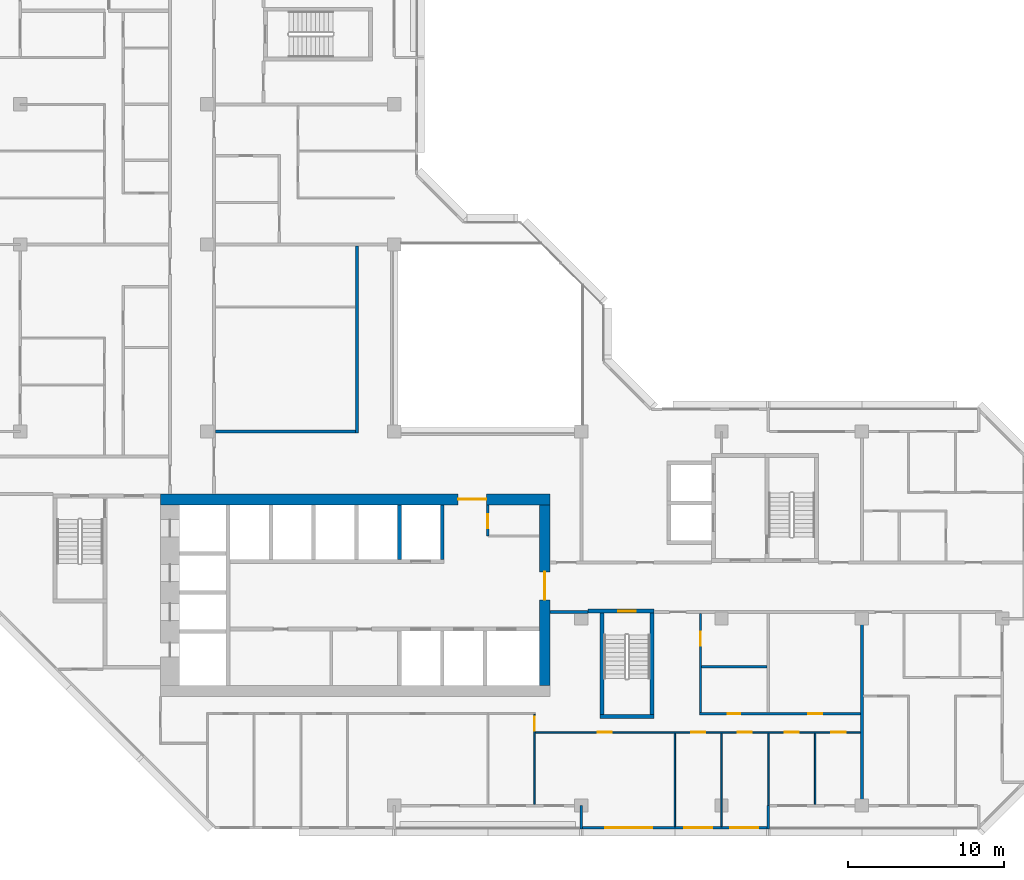
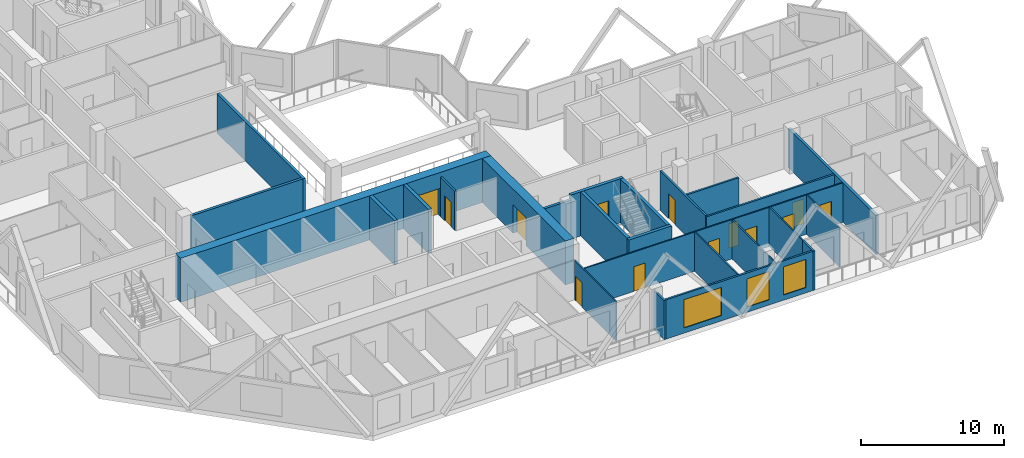
# One storey, part 6 of 16: 25 walls, 13 doors, 3 windows, 16 openings.
"""IFC4 building model written with IfcOpenShell, lengths in metres."""

from ifc_helpers import new_model, si_unit, direction, frame, frame_2d, origin, place, context, subcontext, project, spatial, rectangle, extrude, material, layer, layer_set, type_object, element, fill, save


model = new_model("IFC4")

# Units and contexts
model_context = context("Model", 3, precision=1e-05, world=origin(), true_north=direction((0.0, 1.0)))
body_context = subcontext(model_context, "Body", "Model", "MODEL_VIEW")
ifc_project = project(units=[si_unit("LENGTHUNIT", "METRE"), si_unit("AREAUNIT", "SQUARE_METRE"), si_unit("VOLUMEUNIT", "CUBIC_METRE"), si_unit("PLANEANGLEUNIT", "RADIAN"), si_unit("MASSUNIT", "GRAM", prefix="KILO")], contexts=[model_context])

# Site, building, storey
site_placement = place(None, origin())
site = spatial("IfcSite", under=ifc_project, at=site_placement, CompositionType="ELEMENT")
building_placement = place(site_placement, origin())
building = spatial("IfcBuilding", under=site, at=building_placement, Name="Chenar Terraces", CompositionType="ELEMENT")
storey_placement = place(building_placement, frame((0.0, 0.0, 219.14990234375)))
storey = spatial("IfcBuildingStorey", under=building, at=storey_placement, Name="L51", CompositionType="ELEMENT", Elevation=219.14990234375)

# Wall, opening, door
ifc_material_1 = material(Name="Gypsum board on steel studs", Category="steel")
ifc_layer_1 = layer(ifc_material_1, 0.14990234375)
ifc_layer_set_1 = layer_set([ifc_layer_1], Name="Gypsum board on steel studs")
wall_type_1 = type_object("IfcWallType", Name="Core partition 150 gypsum board", PredefinedType="PARTITIONING", material=ifc_layer_set_1)
wall_1_placement = place(storey_placement, frame((30.0, 17.300048828125, 0.0), z_axis=(0.0, 0.0, 1.0), x_axis=(0.0, 1.0, 0.0)))
wall_1 = element("IfcWall", 1, at=wall_1_placement, inside=storey, type_object=wall_type_1, Name="Core partition CP1 vestibule room west wall", PredefinedType="PARTITIONING", context=body_context, shape_type="SweptSolid", body=[
    extrude(rectangle(XDim=2.0, YDim=0.14990234375, at=frame_2d((1.0, 0.0))), origin(), (0.0, 0.0, 1.0), 3.35009765625),
])
opening_1_placement = place(wall_1_placement, frame((0.5, 0.0, 0.0)))
opening_1 = element("IfcOpeningElement", 2, at=opening_1_placement, cuts=wall_1, Name="Opening DL51-C14", PredefinedType="OPENING", context=body_context, shape_type="SweptSolid", body=[
    extrude(rectangle(XDim=0.89990234375, YDim=2.10009765625, at=frame_2d((0.449951171875, 1.050048828125))), frame((0.0, 0.0849609375, 0.0), z_axis=(0.0, -1.0, 0.0), x_axis=(1.0, 0.0, 0.0)), (0.0, 0.0, 1.0), 0.169921875),
])
ifc_material_2 = material(Name="Steel-framed fire-resisting door leaf", Category="steel")
door_type_1 = type_object("IfcDoorType", Name="Riser fire door FD60 900 x 2100", OperationType="SINGLE_SWING_LEFT", PredefinedType="DOOR", material=ifc_material_2)
door_1_placement = place(opening_1_placement, frame((0.89990234375, 0.0, 0.0), z_axis=(0.0, 0.0, 1.0), x_axis=(-1.0, 0.0, 0.0)))
door_1 = element("IfcDoor", 3, at=door_1_placement, inside=storey, type_object=door_type_1, Name="Core room door DL51-C14", OperationType="SINGLE_SWING_RIGHT", OverallHeight=2.10009765625, OverallWidth=0.89990234375, PredefinedType="DOOR", context=body_context, shape_type="SweptSolid", body=[
    extrude(rectangle(XDim=0.89990234375, YDim=2.10009765625, at=frame_2d((0.449951171875, 1.050048828125))), frame((0.0, 0.02490234375, 0.0), z_axis=(0.0, -1.0, 0.0), x_axis=(1.0, 0.0, 0.0)), (0.0, 0.0, 1.0), 0.050048828125),
])
fill(opening_1, door_1)

# Walls
ifc_material_3 = material(Name="Concrete C60/75", Category="concrete")
ifc_layer_2 = layer(ifc_material_3, 0.25)
ifc_layer_set_2 = layer_set([ifc_layer_2], Name="Concrete C60/75")
wall_type_2 = type_object("IfcWallType", Name="Core wall 250 Concrete C60/75", PredefinedType="SHEAR", material=ifc_layer_set_2)
for number, where, z_axis, x_axis, name in (
    (4, (24.324951171875, 15.800048828125, 0.0), (0.0, 0.0, 1.0), (0.0, 1.0, 0.0), "Core wall NS3 L51"),
    (5, (27.074951171875, 15.800048828125, 0.0), (0.0, 0.0, 1.0), (0.0, 1.0, 0.0), "Core wall NE L51"),
):
    element("IfcWall", number, at=place(storey_placement, frame(where, z_axis=z_axis, x_axis=x_axis)), inside=storey, type_object=wall_type_2, Name=name, PredefinedType="SHEAR", context=body_context, shape_type="SweptSolid", body=[
        extrude(rectangle(XDim=3.5, YDim=0.25, at=frame_2d((1.75, 0.0))), origin(), (0.0, 0.0, 1.0), 3.75),
    ])
wall_2_placement = place(storey_placement, frame((37.199951171875, 5.72509765625, 0.0), z_axis=(0.0, 0.0, 1.0), x_axis=(1.0, 0.0, 0.0)))
element("IfcWall", 6, at=wall_2_placement, inside=storey, type_object=wall_type_2, Name="Core wall ST2_S L51", PredefinedType="SHEAR", context=body_context, shape_type="SweptSolid", body=[
    extrude(rectangle(XDim=3.449951171875, YDim=0.25, at=frame_2d((1.72509765625, 0.0))), origin(), (0.0, 0.0, 1.0), 3.75),
])

# Wall, opening, door
wall_3_placement = place(storey_placement, frame((36.425048828125, 12.47509765625, 0.0), z_axis=(0.0, 0.0, 1.0), x_axis=(1.0, 0.0, 0.0)))
wall_3 = element("IfcWall", 7, at=wall_3_placement, inside=storey, type_object=wall_type_2, Name="Core wall ST2_N L51", PredefinedType="SHEAR", context=body_context, shape_type="SweptSolid", body=[
    extrude(rectangle(XDim=4.224853515625, YDim=0.25, at=frame_2d((2.1123046875, 0.0))), origin(), (0.0, 0.0, 1.0), 3.75),
])
opening_2_placement = place(wall_3_placement, frame((1.949951171875, 0.0, 0.0)))
opening_2 = element("IfcOpeningElement", 8, at=opening_2_placement, cuts=wall_3, Name="Opening DL51-C7", PredefinedType="OPENING", context=body_context, shape_type="SweptSolid", body=[
    extrude(rectangle(XDim=1.10009765625, YDim=2.199951171875, at=frame_2d((0.550048828125, 1.10009765625))), frame((0.0, 0.135009765625, 0.0), z_axis=(0.0, -1.0, 0.0), x_axis=(1.0, 0.0, 0.0)), (0.0, 0.0, 1.0), 0.27001953125),
])
ifc_material_4 = material(Name="Steel-framed fire-resisting door leaf", Category="steel")
door_type_2 = type_object("IfcDoorType", Name="Stair fire door FD60 1100 x 2200", OperationType="SINGLE_SWING_LEFT", PredefinedType="DOOR", material=ifc_material_4)
door_2_placement = place(opening_2_placement, frame((1.10009765625, 0.0, 0.0), z_axis=(0.0, 0.0, 1.0), x_axis=(-1.0, 0.0, 0.0)))
door_2 = element("IfcDoor", 9, at=door_2_placement, inside=storey, type_object=door_type_2, Name="Stair door DL51-C7", OperationType="SINGLE_SWING_LEFT", OverallHeight=2.199951171875, OverallWidth=1.10009765625, PredefinedType="DOOR", context=body_context, shape_type="SweptSolid", body=[
    extrude(rectangle(XDim=1.10009765625, YDim=2.199951171875, at=frame_2d((0.550048828125, 1.10009765625))), frame((0.0, 0.02490234375, 0.0), z_axis=(0.0, -1.0, 0.0), x_axis=(1.0, 0.0, 0.0)), (0.0, 0.0, 1.0), 0.050048828125),
])
fill(opening_2, door_2)

# Walls
for number, where, z_axis, x_axis, name in (
    (10, (37.324951171875, 5.85009765625, 0.0), (0.0, 0.0, 1.0), (0.0, 1.0, 0.0), "Core wall ST2_W L51"),
    (11, (40.52490234375, 5.85009765625, 0.0), (0.0, 0.0, 1.0), (0.0, 1.0, 0.0), "Core wall ST2_E L51"),
):
    element("IfcWall", number, at=place(storey_placement, frame(where, z_axis=z_axis, x_axis=x_axis)), inside=storey, type_object=wall_type_2, Name=name, PredefinedType="SHEAR", context=body_context, shape_type="SweptSolid", body=[
        extrude(rectangle(XDim=6.5, YDim=0.25, at=frame_2d((3.25, 0.0))), origin(), (0.0, 0.0, 1.0), 3.75),
    ])

# Wall, opening, door
ifc_material_5 = material(Name="Concrete C60/75", Category="concrete")
ifc_layer_3 = layer(ifc_material_5, 0.699951171875)
ifc_layer_set_3 = layer_set([ifc_layer_3], Name="Concrete C60/75")
wall_type_3 = type_object("IfcWallType", Name="Core wall 700 Concrete C60/75", PredefinedType="SHEAR", material=ifc_layer_set_3)
wall_4_placement = place(storey_placement, frame((9.0, 19.64990234375, 0.0), z_axis=(0.0, 0.0, 1.0), x_axis=(1.0, 0.0, 0.0)))
wall_4 = element("IfcWall", 12, at=wall_4_placement, inside=storey, type_object=wall_type_3, Name="Core wall N L51", PredefinedType="SHEAR", context=body_context, shape_type="SweptSolid", body=[
    extrude(rectangle(XDim=25.0, YDim=0.699951171875, at=frame_2d((12.5, 0.0))), origin(), (0.0, 0.0, 1.0), 3.75),
])
opening_3_placement = place(wall_4_placement, frame((19.10009765625, 0.0, 0.0)))
opening_3 = element("IfcOpeningElement", 13, at=opening_3_placement, cuts=wall_4, Name="Opening DL51-C2", PredefinedType="OPENING", context=body_context, shape_type="SweptSolid", body=[
    extrude(rectangle(XDim=1.800048828125, YDim=2.39990234375, at=frame_2d((0.89990234375, 1.199951171875))), frame((0.0, 0.35986328125, 0.0), z_axis=(0.0, -1.0, 0.0), x_axis=(1.0, 0.0, 0.0)), (0.0, 0.0, 1.0), 0.719970703125),
])
ifc_material_6 = material(Name="Steel-framed fire-resisting door leaf", Category="steel")
door_type_3 = type_object("IfcDoorType", Name="Core entrance double fire door FD60 1800 x 2400", OperationType="DOUBLE_DOOR_SINGLE_SWING", PredefinedType="DOOR", material=ifc_material_6)
door_3_placement = place(opening_3_placement, frame((1.800048828125, 0.0, 0.0), z_axis=(0.0, 0.0, 1.0), x_axis=(-1.0, 0.0, 0.0)))
door_3 = element("IfcDoor", 14, at=door_3_placement, inside=storey, type_object=door_type_3, Name="Core door DL51-C2", OperationType="DOUBLE_DOOR_SINGLE_SWING", OverallHeight=2.39990234375, OverallWidth=1.800048828125, PredefinedType="DOOR", context=body_context, shape_type="SweptSolid", body=[
    extrude(rectangle(XDim=1.800048828125, YDim=2.39990234375, at=frame_2d((0.89990234375, 1.199951171875))), frame((0.0, 0.02490234375, 0.0), z_axis=(0.0, -1.0, 0.0), x_axis=(1.0, 0.0, 0.0)), (0.0, 0.0, 1.0), 0.050048828125),
])
fill(opening_3, door_3)

wall_5_placement = place(storey_placement, frame((33.64990234375, 7.699951171875, 0.0), z_axis=(0.0, 0.0, 1.0), x_axis=(0.0, 1.0, 0.0)))
wall_5 = element("IfcWall", 15, at=wall_5_placement, inside=storey, type_object=wall_type_3, Name="Core wall E L51", PredefinedType="SHEAR", context=body_context, shape_type="SweptSolid", body=[
    extrude(rectangle(XDim=11.60009765625, YDim=0.699951171875, at=frame_2d((5.800048828125, 0.0))), origin(), (0.0, 0.0, 1.0), 3.75),
])
opening_4_placement = place(wall_5_placement, frame((5.5, 0.0, 0.0)))
opening_4 = element("IfcOpeningElement", 16, at=opening_4_placement, cuts=wall_5, Name="Opening DL51-C1", PredefinedType="OPENING", context=body_context, shape_type="SweptSolid", body=[
    extrude(rectangle(XDim=1.800048828125, YDim=2.39990234375, at=frame_2d((0.89990234375, 1.199951171875))), frame((0.0, 0.35986328125, 0.0), z_axis=(0.0, -1.0, 0.0), x_axis=(1.0, 0.0, 0.0)), (0.0, 0.0, 1.0), 0.719970703125),
])
door_4_placement = place(opening_4_placement, origin())
door_4 = element("IfcDoor", 17, at=door_4_placement, inside=storey, type_object=door_type_3, Name="Core door DL51-C1", OperationType="DOUBLE_DOOR_SINGLE_SWING", OverallHeight=2.39990234375, OverallWidth=1.800048828125, PredefinedType="DOOR", context=body_context, shape_type="SweptSolid", body=[
    extrude(rectangle(XDim=1.800048828125, YDim=2.39990234375, at=frame_2d((0.89990234375, 1.199951171875))), frame((0.0, 0.02490234375, 0.0), z_axis=(0.0, -1.0, 0.0), x_axis=(1.0, 0.0, 0.0)), (0.0, 0.0, 1.0), 0.050048828125),
])
fill(opening_4, door_4)

# Walls
ifc_material_7 = material(Name="Gypsum board on steel studs with fire boards", Category="steel")
ifc_layer_4 = layer(ifc_material_7, 0.199951171875)
ifc_layer_set_4 = layer_set([ifc_layer_4], Name="Gypsum board on steel studs with fire boards")
wall_type_4 = type_object("IfcWallType", Name="Corridor wall 200", PredefinedType="PARTITIONING", material=ifc_layer_set_4)
wall_6_placement = place(storey_placement, frame((12.52490234375, 24.0, 0.0), z_axis=(0.0, 0.0, 1.0), x_axis=(1.0, 0.0, 0.0)))
element("IfcWall", 18, at=wall_6_placement, inside=storey, type_object=wall_type_4, Name="Partition L51-037", PredefinedType="PARTITIONING", context=body_context, shape_type="SweptSolid", body=[
    extrude(rectangle(XDim=8.97509765625, YDim=0.199951171875, at=frame_2d((4.487548828125, 0.0))), origin(), (0.0, 0.0, 1.0), 3.35009765625),
])
wall_7_placement = place(storey_placement, frame((21.60009765625, 23.89990234375, 0.0), z_axis=(0.0, 0.0, 1.0), x_axis=(0.0, 1.0, 0.0)))
element("IfcWall", 19, at=wall_7_placement, inside=storey, type_object=wall_type_4, Name="Partition L51-059", PredefinedType="PARTITIONING", context=body_context, shape_type="SweptSolid", body=[
    extrude(rectangle(XDim=12.0, YDim=0.199951171875, at=frame_2d((6.0, 0.0))), origin(), (0.0, 0.0, 1.0), 3.35009765625),
])
wall_8_placement = place(storey_placement, frame((34.0, 12.425048828125, 0.0), z_axis=(0.0, 0.0, 1.0), x_axis=(1.0, 0.0, 0.0)))
element("IfcWall", 20, at=wall_8_placement, inside=storey, type_object=wall_type_4, Name="Partition L51-063", PredefinedType="PARTITIONING", context=body_context, shape_type="SweptSolid", body=[
    extrude(rectangle(XDim=2.426025390625, YDim=0.199951171875, at=frame_2d((1.212890625, 0.0))), origin(), (0.0, 0.0, 1.0), 3.35009765625),
])

# Wall, openings, windows
ifc_material_8 = material(Name="Aluminium framed glazing", Category="aluminium")
ifc_layer_5 = layer(ifc_material_8, 0.14990234375)
ifc_layer_set_5 = layer_set([ifc_layer_5], Name="Aluminium framed glazing")
wall_type_5 = type_object("IfcWallType", Name="Glazed flush facade wall 150", PredefinedType="SOLIDWALL", material=ifc_layer_set_5)
wall_9_placement = place(storey_placement, frame((36.074951171875, -1.425048828125, 0.0), z_axis=(0.0, 0.0, 1.0), x_axis=(1.0, 0.0, 0.0)))
wall_9 = element("IfcWall", 21, at=wall_9_placement, inside=storey, type_object=wall_type_5, Name="Glazed flush facade wall", PredefinedType="SOLIDWALL", context=body_context, shape_type="SweptSolid", body=[
    extrude(rectangle(XDim=11.85009765625, YDim=0.14990234375, at=frame_2d((5.925048828125, 0.0))), origin(), (0.0, 0.0, 1.0), 3.35009765625),
])
opening_5_placement = place(wall_9_placement, frame((1.46240234375, 0.0, 0.449951171875)))
opening_5 = element("IfcOpeningElement", 22, at=opening_5_placement, cuts=wall_9, Name="Opening W300x240", PredefinedType="OPENING", context=body_context, shape_type="SweptSolid", body=[
    extrude(rectangle(XDim=3.0, YDim=2.39990234375, at=frame_2d((1.5, 1.199951171875))), frame((0.0, 0.0849609375, 0.0), z_axis=(0.0, -1.0, 0.0), x_axis=(1.0, 0.0, 0.0)), (0.0, 0.0, 1.0), 0.169921875),
])
opening_6_placement = place(wall_9_placement, frame((6.52490234375, 0.0, 0.449951171875)))
opening_6 = element("IfcOpeningElement", 23, at=opening_6_placement, cuts=wall_9, Name="Opening W180x240", PredefinedType="OPENING", context=body_context, shape_type="SweptSolid", body=[
    extrude(rectangle(XDim=1.800048828125, YDim=2.39990234375, at=frame_2d((0.89990234375, 1.199951171875))), frame((0.0, 0.0849609375, 0.0), z_axis=(0.0, -1.0, 0.0), x_axis=(1.0, 0.0, 0.0)), (0.0, 0.0, 1.0), 0.169921875),
])
opening_7_placement = place(wall_9_placement, frame((9.487548828125, 0.0, 0.449951171875)))
opening_7 = element("IfcOpeningElement", 24, at=opening_7_placement, cuts=wall_9, Name="Opening W180x240", PredefinedType="OPENING", context=body_context, shape_type="SweptSolid", body=[
    extrude(rectangle(XDim=1.800048828125, YDim=2.39990234375, at=frame_2d((0.89990234375, 1.199951171875))), frame((0.0, 0.0849609375, 0.0), z_axis=(0.0, -1.0, 0.0), x_axis=(1.0, 0.0, 0.0)), (0.0, 0.0, 1.0), 0.169921875),
])
ifc_material_9 = material(Name="Low emissivity double glazing, aluminium frame", Category="aluminium")
window_type_1 = type_object("IfcWindowType", Name="Fixed light 1800 x 2400", PartitioningType="SINGLE_PANEL", PredefinedType="WINDOW", material=ifc_material_9)
window_1_placement = place(opening_6_placement, origin())
window_1 = element("IfcWindow", 25, at=window_1_placement, inside=storey, type_object=window_type_1, Name="Window", OverallHeight=2.39990234375, OverallWidth=1.800048828125, PartitioningType="SINGLE_PANEL", PredefinedType="WINDOW", context=body_context, shape_type="SweptSolid", body=[
    extrude(rectangle(XDim=1.800048828125, YDim=2.39990234375, at=frame_2d((0.89990234375, 1.199951171875))), frame((0.0, 0.030029296875, 0.0), z_axis=(0.0, -1.0, 0.0), x_axis=(1.0, 0.0, 0.0)), (0.0, 0.0, 1.0), 0.06005859375),
])
fill(opening_6, window_1)
window_2_placement = place(opening_7_placement, origin())
window_2 = element("IfcWindow", 26, at=window_2_placement, inside=storey, type_object=window_type_1, Name="Window", OverallHeight=2.39990234375, OverallWidth=1.800048828125, PartitioningType="SINGLE_PANEL", PredefinedType="WINDOW", context=body_context, shape_type="SweptSolid", body=[
    extrude(rectangle(XDim=1.800048828125, YDim=2.39990234375, at=frame_2d((0.89990234375, 1.199951171875))), frame((0.0, 0.030029296875, 0.0), z_axis=(0.0, -1.0, 0.0), x_axis=(1.0, 0.0, 0.0)), (0.0, 0.0, 1.0), 0.06005859375),
])
fill(opening_7, window_2)
ifc_material_10 = material(Name="Low emissivity double glazing, aluminium frame", Category="aluminium")
window_type_2 = type_object("IfcWindowType", Name="Fixed light 3000 x 2400", PartitioningType="SINGLE_PANEL", PredefinedType="WINDOW", material=ifc_material_10)
window_3_placement = place(opening_5_placement, origin())
window_3 = element("IfcWindow", 27, at=window_3_placement, inside=storey, type_object=window_type_2, Name="Window", OverallHeight=2.39990234375, OverallWidth=3.0, PartitioningType="SINGLE_PANEL", PredefinedType="WINDOW", context=body_context, shape_type="SweptSolid", body=[
    extrude(rectangle(XDim=3.0, YDim=2.39990234375, at=frame_2d((1.5, 1.199951171875))), frame((0.0, 0.030029296875, 0.0), z_axis=(0.0, -1.0, 0.0), x_axis=(1.0, 0.0, 0.0)), (0.0, 0.0, 1.0), 0.06005859375),
])
fill(opening_5, window_3)

# Wall, opening, door
ifc_material_11 = material(Name="Gypsum board on steel studs", Category="steel")
ifc_layer_6 = layer(ifc_material_11, 0.10009765625)
ifc_layer_set_6 = layer_set([ifc_layer_6], Name="Gypsum board on steel studs")
wall_type_6 = type_object("IfcWallType", Name="Gypsum partition 100", PredefinedType="PARTITIONING", material=ifc_layer_set_6)
wall_10_placement = place(storey_placement, frame((33.0, 0.073974609375, 0.0), z_axis=(0.0, 0.0, 1.0), x_axis=(0.0, 1.0, 0.0)))
wall_10 = element("IfcWall", 28, at=wall_10_placement, inside=storey, type_object=wall_type_6, Name="Partition L51-061", PredefinedType="PARTITIONING", context=body_context, shape_type="SweptSolid", body=[
    extrude(rectangle(XDim=5.776123046875, YDim=0.10009765625, at=frame_2d((2.88818359375, 0.0))), origin(), (0.0, 0.0, 1.0), 3.35009765625),
])
opening_8_placement = place(wall_10_placement, frame((4.72607421875, 0.0, 0.0)))
opening_8 = element("IfcOpeningElement", 29, at=opening_8_placement, cuts=wall_10, Name="Opening DL51-48", PredefinedType="OPENING", context=body_context, shape_type="SweptSolid", body=[
    extrude(rectangle(XDim=0.89990234375, YDim=2.10009765625, at=frame_2d((0.449951171875, 1.050048828125))), frame((0.0, 0.06005859375, 0.0), z_axis=(0.0, -1.0, 0.0), x_axis=(1.0, 0.0, 0.0)), (0.0, 0.0, 1.0), 0.1201171875),
])
ifc_material_12 = material(Name="Veneered timber door leaf", Category="wood")
door_type_4 = type_object("IfcDoorType", Name="Door 900 x 2100", OperationType="SINGLE_SWING_LEFT", PredefinedType="DOOR", material=ifc_material_12)
door_5_placement = place(opening_8_placement, origin())
door_5 = element("IfcDoor", 30, at=door_5_placement, inside=storey, type_object=door_type_4, Name="Door DL51-48", OperationType="SINGLE_SWING_RIGHT", OverallHeight=2.10009765625, OverallWidth=0.89990234375, PredefinedType="DOOR", context=body_context, shape_type="SweptSolid", body=[
    extrude(rectangle(XDim=0.89990234375, YDim=2.10009765625, at=frame_2d((0.449951171875, 1.050048828125))), frame((0.0, 0.02490234375, 0.0), z_axis=(0.0, -1.0, 0.0), x_axis=(1.0, 0.0, 0.0)), (0.0, 0.0, 1.0), 0.050048828125),
])
fill(opening_8, door_5)

# Wall, openings, doors
wall_11_placement = place(storey_placement, frame((33.050048828125, 4.699951171875, 0.0), z_axis=(0.0, 0.0, 1.0), x_axis=(1.0, 0.0, 0.0)))
wall_11 = element("IfcWall", 31, at=wall_11_placement, inside=storey, type_object=wall_type_6, Name="Partition L51-062", PredefinedType="PARTITIONING", context=body_context, shape_type="SweptSolid", body=[
    extrude(rectangle(XDim=20.849853515625, YDim=0.10009765625, at=frame_2d((10.4248046875, 0.0))), origin(), (0.0, 0.0, 1.0), 3.35009765625),
])
opening_9_placement = place(wall_11_placement, frame((10.0, 0.0, 0.0)))
opening_9 = element("IfcOpeningElement", 32, at=opening_9_placement, cuts=wall_11, Name="Opening DL51-49", PredefinedType="OPENING", context=body_context, shape_type="SweptSolid", body=[
    extrude(rectangle(XDim=0.89990234375, YDim=2.10009765625, at=frame_2d((0.449951171875, 1.050048828125))), frame((0.0, 0.06005859375, 0.0), z_axis=(0.0, -1.0, 0.0), x_axis=(1.0, 0.0, 0.0)), (0.0, 0.0, 1.0), 0.1201171875),
])
opening_10_placement = place(wall_11_placement, frame((13.0, 0.0, 0.0)))
opening_10 = element("IfcOpeningElement", 33, at=opening_10_placement, cuts=wall_11, Name="Opening DL51-50", PredefinedType="OPENING", context=body_context, shape_type="SweptSolid", body=[
    extrude(rectangle(XDim=0.89990234375, YDim=2.10009765625, at=frame_2d((0.449951171875, 1.050048828125))), frame((0.0, 0.06005859375, 0.0), z_axis=(0.0, -1.0, 0.0), x_axis=(1.0, 0.0, 0.0)), (0.0, 0.0, 1.0), 0.1201171875),
])
opening_11_placement = place(wall_11_placement, frame((16.0, 0.0, 0.0)))
opening_11 = element("IfcOpeningElement", 34, at=opening_11_placement, cuts=wall_11, Name="Opening DL51-51", PredefinedType="OPENING", context=body_context, shape_type="SweptSolid", body=[
    extrude(rectangle(XDim=0.89990234375, YDim=2.10009765625, at=frame_2d((0.449951171875, 1.050048828125))), frame((0.0, 0.06005859375, 0.0), z_axis=(0.0, -1.0, 0.0), x_axis=(1.0, 0.0, 0.0)), (0.0, 0.0, 1.0), 0.1201171875),
])
opening_12_placement = place(wall_11_placement, frame((19.0, 0.0, 0.0)))
opening_12 = element("IfcOpeningElement", 35, at=opening_12_placement, cuts=wall_11, Name="Opening DL51-52", PredefinedType="OPENING", context=body_context, shape_type="SweptSolid", body=[
    extrude(rectangle(XDim=0.89990234375, YDim=2.10009765625, at=frame_2d((0.449951171875, 1.050048828125))), frame((0.0, 0.06005859375, 0.0), z_axis=(0.0, -1.0, 0.0), x_axis=(1.0, 0.0, 0.0)), (0.0, 0.0, 1.0), 0.1201171875),
])
opening_13_placement = place(wall_11_placement, frame((4.0, 0.0, 0.0)))
opening_13 = element("IfcOpeningElement", 36, at=opening_13_placement, cuts=wall_11, Name="Opening DL51-59", PredefinedType="OPENING", context=body_context, shape_type="SweptSolid", body=[
    extrude(rectangle(XDim=0.89990234375, YDim=2.10009765625, at=frame_2d((0.449951171875, 1.050048828125))), frame((0.0, 0.06005859375, 0.0), z_axis=(0.0, -1.0, 0.0), x_axis=(1.0, 0.0, 0.0)), (0.0, 0.0, 1.0), 0.1201171875),
])
door_6_placement = place(opening_9_placement, frame((0.89990234375, 0.0, 0.0), z_axis=(0.0, 0.0, 1.0), x_axis=(-1.0, 0.0, 0.0)))
door_6 = element("IfcDoor", 37, at=door_6_placement, inside=storey, type_object=door_type_4, Name="Door DL51-49", OperationType="SINGLE_SWING_LEFT", OverallHeight=2.10009765625, OverallWidth=0.89990234375, PredefinedType="DOOR", context=body_context, shape_type="SweptSolid", body=[
    extrude(rectangle(XDim=0.89990234375, YDim=2.10009765625, at=frame_2d((0.449951171875, 1.050048828125))), frame((0.0, 0.02490234375, 0.0), z_axis=(0.0, -1.0, 0.0), x_axis=(1.0, 0.0, 0.0)), (0.0, 0.0, 1.0), 0.050048828125),
])
fill(opening_9, door_6)
door_7_placement = place(opening_10_placement, frame((0.89990234375, 0.0, 0.0), z_axis=(0.0, 0.0, 1.0), x_axis=(-1.0, 0.0, 0.0)))
door_7 = element("IfcDoor", 38, at=door_7_placement, inside=storey, type_object=door_type_4, Name="Door DL51-50", OperationType="SINGLE_SWING_LEFT", OverallHeight=2.10009765625, OverallWidth=0.89990234375, PredefinedType="DOOR", context=body_context, shape_type="SweptSolid", body=[
    extrude(rectangle(XDim=0.89990234375, YDim=2.10009765625, at=frame_2d((0.449951171875, 1.050048828125))), frame((0.0, 0.02490234375, 0.0), z_axis=(0.0, -1.0, 0.0), x_axis=(1.0, 0.0, 0.0)), (0.0, 0.0, 1.0), 0.050048828125),
])
fill(opening_10, door_7)
door_8_placement = place(opening_11_placement, frame((0.89990234375, 0.0, 0.0), z_axis=(0.0, 0.0, 1.0), x_axis=(-1.0, 0.0, 0.0)))
door_8 = element("IfcDoor", 39, at=door_8_placement, inside=storey, type_object=door_type_4, Name="Door DL51-51", OperationType="SINGLE_SWING_LEFT", OverallHeight=2.10009765625, OverallWidth=0.89990234375, PredefinedType="DOOR", context=body_context, shape_type="SweptSolid", body=[
    extrude(rectangle(XDim=0.89990234375, YDim=2.10009765625, at=frame_2d((0.449951171875, 1.050048828125))), frame((0.0, 0.02490234375, 0.0), z_axis=(0.0, -1.0, 0.0), x_axis=(1.0, 0.0, 0.0)), (0.0, 0.0, 1.0), 0.050048828125),
])
fill(opening_11, door_8)
door_9_placement = place(opening_12_placement, frame((0.89990234375, 0.0, 0.0), z_axis=(0.0, 0.0, 1.0), x_axis=(-1.0, 0.0, 0.0)))
door_9 = element("IfcDoor", 40, at=door_9_placement, inside=storey, type_object=door_type_4, Name="Door DL51-52", OperationType="SINGLE_SWING_LEFT", OverallHeight=2.10009765625, OverallWidth=0.89990234375, PredefinedType="DOOR", context=body_context, shape_type="SweptSolid", body=[
    extrude(rectangle(XDim=0.89990234375, YDim=2.10009765625, at=frame_2d((0.449951171875, 1.050048828125))), frame((0.0, 0.02490234375, 0.0), z_axis=(0.0, -1.0, 0.0), x_axis=(1.0, 0.0, 0.0)), (0.0, 0.0, 1.0), 0.050048828125),
])
fill(opening_12, door_9)
door_10_placement = place(opening_13_placement, frame((0.89990234375, 0.0, 0.0), z_axis=(0.0, 0.0, 1.0), x_axis=(-1.0, 0.0, 0.0)))
door_10 = element("IfcDoor", 41, at=door_10_placement, inside=storey, type_object=door_type_4, Name="Door DL51-59", OperationType="SINGLE_SWING_LEFT", OverallHeight=2.10009765625, OverallWidth=0.89990234375, PredefinedType="DOOR", context=body_context, shape_type="SweptSolid", body=[
    extrude(rectangle(XDim=0.89990234375, YDim=2.10009765625, at=frame_2d((0.449951171875, 1.050048828125))), frame((0.0, 0.02490234375, 0.0), z_axis=(0.0, -1.0, 0.0), x_axis=(1.0, 0.0, 0.0)), (0.0, 0.0, 1.0), 0.050048828125),
])
fill(opening_13, door_10)

# Walls
wall_12_placement = place(storey_placement, frame((42.0, -1.35009765625, 0.0), z_axis=(0.0, 0.0, 1.0), x_axis=(0.0, 1.0, 0.0)))
element("IfcWall", 42, at=wall_12_placement, inside=storey, type_object=wall_type_6, Name="Partition L51-067", PredefinedType="PARTITIONING", context=body_context, shape_type="SweptSolid", body=[
    extrude(rectangle(XDim=6.0, YDim=0.10009765625, at=frame_2d((3.0, 0.0))), origin(), (0.0, 0.0, 1.0), 3.35009765625),
])
wall_13_placement = place(storey_placement, frame((45.0, -1.35107421875, 0.0), z_axis=(0.0, 0.0, 1.0), x_axis=(0.0, 1.0, 0.0)))
element("IfcWall", 43, at=wall_13_placement, inside=storey, type_object=wall_type_6, Name="Partition L51-071", PredefinedType="PARTITIONING", context=body_context, shape_type="SweptSolid", body=[
    extrude(rectangle(XDim=6.0009765625, YDim=0.10009765625, at=frame_2d((3.00048828125, 0.0))), origin(), (0.0, 0.0, 1.0), 3.35009765625),
])
wall_14_placement = place(storey_placement, frame((48.0, 0.0, 0.0), z_axis=(0.0, 0.0, 1.0), x_axis=(0.0, 1.0, 0.0)))
element("IfcWall", 44, at=wall_14_placement, inside=storey, type_object=wall_type_6, Name="Partition L51-073", PredefinedType="PARTITIONING", context=body_context, shape_type="SweptSolid", body=[
    extrude(rectangle(XDim=4.64990234375, YDim=0.10009765625, at=frame_2d((2.324951171875, 0.0))), origin(), (0.0, 0.0, 1.0), 3.35009765625),
])
wall_15_placement = place(storey_placement, frame((51.0, 0.073974609375, 0.0), z_axis=(0.0, 0.0, 1.0), x_axis=(0.0, 1.0, 0.0)))
element("IfcWall", 45, at=wall_15_placement, inside=storey, type_object=wall_type_6, Name="Partition L51-075", PredefinedType="PARTITIONING", context=body_context, shape_type="SweptSolid", body=[
    extrude(rectangle(XDim=4.575927734375, YDim=0.10009765625, at=frame_2d((2.2880859375, 0.0))), origin(), (0.0, 0.0, 1.0), 3.35009765625),
])
ifc_material_13 = material(Name="Terracotta cladding on insulated backing", Category="masonry")
ifc_layer_7 = layer(ifc_material_13, 0.14990234375)
ifc_layer_set_7 = layer_set([ifc_layer_7], Name="Terracotta cladding on insulated backing")
wall_type_7 = type_object("IfcWallType", Name="Loggia return wall 150", PredefinedType="SOLIDWALL", material=ifc_layer_set_7)
for number, where, z_axis, x_axis, name in (
    (46, (36.0, -1.5, 0.0), (0.0, 0.0, 1.0), (0.0, 1.0, 0.0), "Loggia return wall"),
    (47, (48.0, -1.5, 0.0), (0.0, 0.0, 1.0), (0.0, 1.0, 0.0), "Loggia return wall"),
):
    element("IfcWall", number, at=place(storey_placement, frame(where, z_axis=z_axis, x_axis=x_axis)), inside=storey, type_object=wall_type_7, Name=name, PredefinedType="SOLIDWALL", context=body_context, shape_type="SweptSolid", body=[
        extrude(rectangle(XDim=1.5, YDim=0.14990234375, at=frame_2d((0.75, 0.0))), origin(), (0.0, 0.0, 1.0), 3.35009765625),
    ])
ifc_material_14 = material(Name="Twin gypsum board on steel studs with mineral wool", Category="steel")
ifc_layer_8 = layer(ifc_material_14, 0.199951171875)
ifc_layer_set_8 = layer_set([ifc_layer_8], Name="Twin gypsum board on steel studs with mineral wool")
wall_type_8 = type_object("IfcWallType", Name="Unit demising wall 200", PredefinedType="PARTITIONING", material=ifc_layer_set_8)
wall_16_placement = place(storey_placement, frame((54.0, 0.073974609375, 0.0), z_axis=(0.0, 0.0, 1.0), x_axis=(0.0, 1.0, 0.0)))
element("IfcWall", 48, at=wall_16_placement, inside=storey, type_object=wall_type_8, Name="Partition L51-077", PredefinedType="PARTITIONING", context=body_context, shape_type="SweptSolid", body=[
    extrude(rectangle(XDim=12.2509765625, YDim=0.199951171875, at=frame_2d((6.12548828125, 0.0))), origin(), (0.0, 0.0, 1.0), 3.35009765625),
])

# Wall, openings, doors
ifc_material_15 = material(Name="Moisture-resistant gypsum board on steel studs", Category="steel")
ifc_layer_9 = layer(ifc_material_15, 0.14990234375)
ifc_layer_set_9 = layer_set([ifc_layer_9], Name="Moisture-resistant gypsum board on steel studs")
wall_type_9 = type_object("IfcWallType", Name="Wet-room partition 150", PredefinedType="PARTITIONING", material=ifc_layer_set_9)
wall_17_placement = place(storey_placement, frame((43.574951171875, 5.89990234375, 0.0), z_axis=(0.0, 0.0, 1.0), x_axis=(1.0, 0.0, 0.0)))
wall_17 = element("IfcWall", 49, at=wall_17_placement, inside=storey, type_object=wall_type_9, Name="Partition L51-068", PredefinedType="PARTITIONING", context=body_context, shape_type="SweptSolid", body=[
    extrude(rectangle(XDim=10.324951171875, YDim=0.14990234375, at=frame_2d((5.16259765625, 0.0))), origin(), (0.0, 0.0, 1.0), 3.35009765625),
])
opening_14_placement = place(wall_17_placement, frame((1.824951171875, 0.0, 0.0)))
opening_14 = element("IfcOpeningElement", 50, at=opening_14_placement, cuts=wall_17, Name="Opening DL51-44", PredefinedType="OPENING", context=body_context, shape_type="SweptSolid", body=[
    extrude(rectangle(XDim=0.800048828125, YDim=2.10009765625, at=frame_2d((0.39990234375, 1.050048828125))), frame((0.0, 0.0849609375, 0.0), z_axis=(0.0, -1.0, 0.0), x_axis=(1.0, 0.0, 0.0)), (0.0, 0.0, 1.0), 0.169921875),
])
opening_15_placement = place(wall_17_placement, frame((6.97509765625, 0.0, 0.0)))
opening_15 = element("IfcOpeningElement", 51, at=opening_15_placement, cuts=wall_17, Name="Opening DL51-55", PredefinedType="OPENING", context=body_context, shape_type="SweptSolid", body=[
    extrude(rectangle(XDim=0.89990234375, YDim=2.10009765625, at=frame_2d((0.449951171875, 1.050048828125))), frame((0.0, 0.0849609375, 0.0), z_axis=(0.0, -1.0, 0.0), x_axis=(1.0, 0.0, 0.0)), (0.0, 0.0, 1.0), 0.169921875),
])
ifc_material_16 = material(Name="Veneered timber door leaf", Category="wood")
door_type_5 = type_object("IfcDoorType", Name="Door 800 x 2100", OperationType="SINGLE_SWING_LEFT", PredefinedType="DOOR", material=ifc_material_16)
door_11_placement = place(opening_14_placement, origin())
door_11 = element("IfcDoor", 52, at=door_11_placement, inside=storey, type_object=door_type_5, Name="Door DL51-44", OperationType="SINGLE_SWING_RIGHT", OverallHeight=2.10009765625, OverallWidth=0.800048828125, PredefinedType="DOOR", context=body_context, shape_type="SweptSolid", body=[
    extrude(rectangle(XDim=0.800048828125, YDim=2.10009765625, at=frame_2d((0.39990234375, 1.050048828125))), frame((0.0, 0.02490234375, 0.0), z_axis=(0.0, -1.0, 0.0), x_axis=(1.0, 0.0, 0.0)), (0.0, 0.0, 1.0), 0.050048828125),
])
fill(opening_14, door_11)
door_12_placement = place(opening_15_placement, origin())
door_12 = element("IfcDoor", 53, at=door_12_placement, inside=storey, type_object=door_type_4, Name="Door DL51-55", OperationType="SINGLE_SWING_RIGHT", OverallHeight=2.10009765625, OverallWidth=0.89990234375, PredefinedType="DOOR", context=body_context, shape_type="SweptSolid", body=[
    extrude(rectangle(XDim=0.89990234375, YDim=2.10009765625, at=frame_2d((0.449951171875, 1.050048828125))), frame((0.0, 0.02490234375, 0.0), z_axis=(0.0, -1.0, 0.0), x_axis=(1.0, 0.0, 0.0)), (0.0, 0.0, 1.0), 0.050048828125),
])
fill(opening_15, door_12)

# Wall, opening, door
wall_18_placement = place(storey_placement, frame((43.64990234375, 5.97509765625, 0.0), z_axis=(0.0, 0.0, 1.0), x_axis=(0.0, 1.0, 0.0)))
wall_18 = element("IfcWall", 54, at=wall_18_placement, inside=storey, type_object=wall_type_9, Name="Partition L51-069", PredefinedType="PARTITIONING", context=body_context, shape_type="SweptSolid", body=[
    extrude(rectangle(XDim=6.349853515625, YDim=0.14990234375, at=frame_2d((3.1748046875, 0.0))), origin(), (0.0, 0.0, 1.0), 3.35009765625),
])
opening_16_placement = place(wall_18_placement, frame((4.27490234375, 0.0, 0.0)))
opening_16 = element("IfcOpeningElement", 55, at=opening_16_placement, cuts=wall_18, Name="Opening DL51-57", PredefinedType="OPENING", context=body_context, shape_type="SweptSolid", body=[
    extrude(rectangle(XDim=0.89990234375, YDim=2.10009765625, at=frame_2d((0.449951171875, 1.050048828125))), frame((0.0, 0.0849609375, 0.0), z_axis=(0.0, -1.0, 0.0), x_axis=(1.0, 0.0, 0.0)), (0.0, 0.0, 1.0), 0.169921875),
])
door_13_placement = place(opening_16_placement, frame((0.89990234375, 0.0, 0.0), z_axis=(0.0, 0.0, 1.0), x_axis=(-1.0, 0.0, 0.0)))
door_13 = element("IfcDoor", 56, at=door_13_placement, inside=storey, type_object=door_type_4, Name="Door DL51-57", OperationType="SINGLE_SWING_LEFT", OverallHeight=2.10009765625, OverallWidth=0.89990234375, PredefinedType="DOOR", context=body_context, shape_type="SweptSolid", body=[
    extrude(rectangle(XDim=0.89990234375, YDim=2.10009765625, at=frame_2d((0.449951171875, 1.050048828125))), frame((0.0, 0.02490234375, 0.0), z_axis=(0.0, -1.0, 0.0), x_axis=(1.0, 0.0, 0.0)), (0.0, 0.0, 1.0), 0.050048828125),
])
fill(opening_16, door_13)

# Wall
wall_19_placement = place(storey_placement, frame((43.72509765625, 8.89990234375, 0.0), z_axis=(0.0, 0.0, 1.0), x_axis=(1.0, 0.0, 0.0)))
element("IfcWall", 57, at=wall_19_placement, inside=storey, type_object=wall_type_9, Name="Partition L51-070", PredefinedType="PARTITIONING", context=body_context, shape_type="SweptSolid", body=[
    extrude(rectangle(XDim=4.199951171875, YDim=0.14990234375, at=frame_2d((2.10009765625, 0.0))), origin(), (0.0, 0.0, 1.0), 3.35009765625),
])

save(model, "model.ifc")
